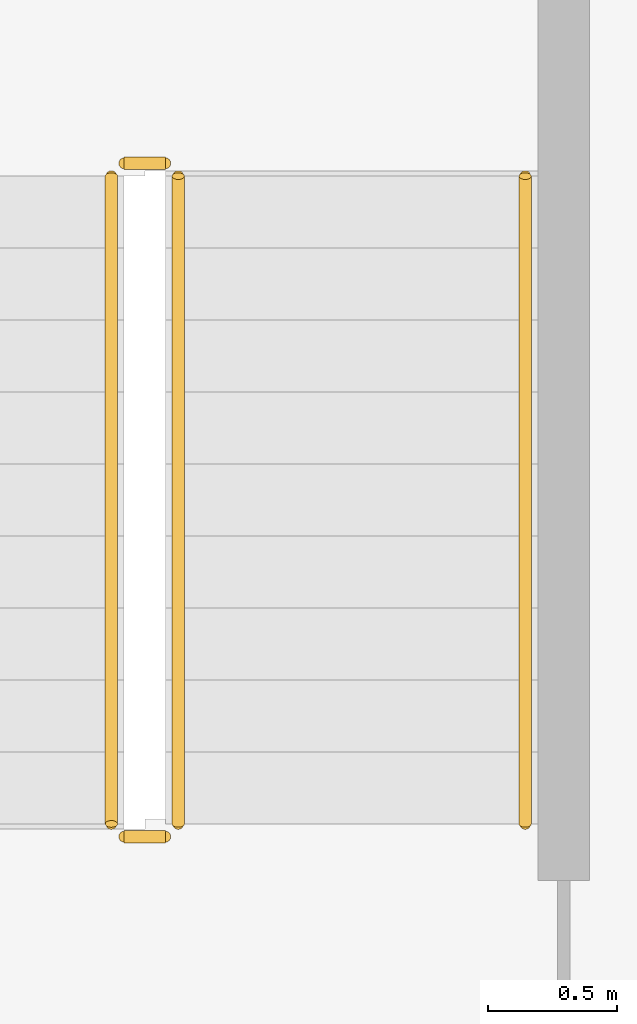
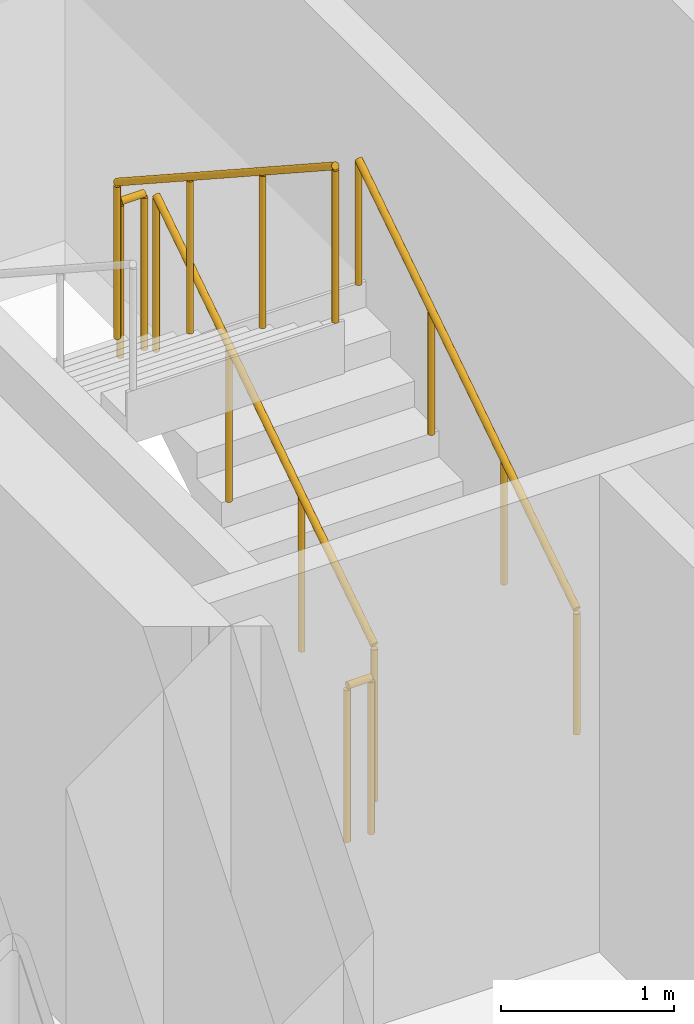
# One storey, part 10 of 12: 5 railings.
"""IFC4 building model written with IfcOpenShell, lengths in metres."""

from ifc_helpers import new_model, si_unit, direction, frame, origin, origin_2d, place, context, subcontext, project, spatial, circle, extrude, material, type_object, element, save


model = new_model("IFC4")

# Units and contexts
model_context = context("Model", 3, precision=1e-05, world=origin(), true_north=direction((0.0, 1.0)))
body_context = subcontext(model_context, "Body", "Model", "MODEL_VIEW")
ifc_project = project(units=[si_unit("LENGTHUNIT", "METRE"), si_unit("AREAUNIT", "SQUARE_METRE"), si_unit("VOLUMEUNIT", "CUBIC_METRE"), si_unit("PLANEANGLEUNIT", "RADIAN"), si_unit("MASSUNIT", "GRAM", prefix="KILO")], contexts=[model_context])

# Site, building, storey
site_placement = place(None, origin())
site = spatial("IfcSite", under=ifc_project, at=site_placement, CompositionType="ELEMENT")
building_placement = place(site_placement, origin())
building = spatial("IfcBuilding", under=site, at=building_placement, Name="Nuvemarco Arch Tower", CompositionType="ELEMENT")
storey_placement = place(building_placement, frame((0.0, 0.0, 38.550048828125)))
storey = spatial("IfcBuildingStorey", under=building, at=storey_placement, Name="L09", CompositionType="ELEMENT", Elevation=38.550048828125)

# Railings
ifc_material_1 = material(Name="Brushed stainless steel handrail", Category="steel")
railing_type_1 = type_object("IfcRailingType", Name="RL-HANDRAIL-900", PredefinedType="HANDRAIL", material=ifc_material_1)
railing_1_placement = place(storey_placement, frame((-13.590087890625, 2.64990234375, 0.182373046875)))
element("IfcRailing", 1, at=railing_1_placement, inside=storey, type_object=railing_type_1, Name="L09 ST-1 stair handrail 1", PredefinedType="HANDRAIL", context=body_context, shape_type="SweptSolid", body=[
    extrude(circle(Radius=0.02392578125, at=origin_2d()), frame((0.0, 0.0, 0.8759765625), z_axis=(0.0, 0.837749427056, 0.546054848405), x_axis=(-1.0, 0.0, 0.0)), (0.0, 0.0, 1.0), 3.008056640625),
    extrude(circle(Radius=0.02099609375, at=origin_2d()), origin(), (0.0, 0.0, 1.0), 0.851806640625),
    extrude(circle(Radius=0.02099609375, at=origin_2d()), frame((0.0, 0.840087890625, 0.547607421875)), (0.0, 0.0, 1.0), 0.851806640625),
    extrude(circle(Radius=0.02099609375, at=origin_2d()), frame((0.0, 1.679931640625, 1.094970703125)), (0.0, 0.0, 1.0), 0.851806640625),
    extrude(circle(Radius=0.02099609375, at=origin_2d()), frame((0.0, 2.52001953125, 1.642578125)), (0.0, 0.0, 1.0), 0.851806640625),
])
ifc_material_2 = material(Name="Painted balustrade steel S355", Category="steel")
railing_type_2 = type_object("IfcRailingType", Name="RL-STAIR-GUARD", PredefinedType="GUARDRAIL", material=ifc_material_2)
railing_2_placement = place(storey_placement, frame((-14.93994140625, 2.64990234375, 0.182373046875)))
element("IfcRailing", 2, at=railing_2_placement, inside=storey, type_object=railing_type_2, Name="L09 ST-1 stair guard 1", PredefinedType="GUARDRAIL", context=body_context, shape_type="SweptSolid", body=[
    extrude(circle(Radius=0.02392578125, at=origin_2d()), frame((0.0, 0.0, 1.09619140625), z_axis=(0.0, 0.837749427056, 0.546054848405), x_axis=(-1.0, 0.0, 0.0)), (0.0, 0.0, 1.0), 3.008056640625),
    extrude(circle(Radius=0.02099609375, at=origin_2d()), origin(), (0.0, 0.0, 1.0), 1.072021484375),
    extrude(circle(Radius=0.02099609375, at=origin_2d()), frame((0.0, 0.840087890625, 0.547607421875)), (0.0, 0.0, 1.0), 1.072021484375),
    extrude(circle(Radius=0.02099609375, at=origin_2d()), frame((0.0, 1.679931640625, 1.094970703125)), (0.0, 0.0, 1.0), 1.072021484375),
    extrude(circle(Radius=0.02099609375, at=origin_2d()), frame((0.0, 2.52001953125, 1.642578125)), (0.0, 0.0, 1.0), 1.072021484375),
])
railing_3_placement = place(storey_placement, frame((-14.989990234375, 5.219970703125, 1.824951171875)))
element("IfcRailing", 3, at=railing_3_placement, inside=storey, type_object=railing_type_2, Name="L09 ST-1 stair guard 2", PredefinedType="GUARDRAIL", context=body_context, shape_type="SweptSolid", body=[
    extrude(circle(Radius=0.02392578125, at=origin_2d()), frame((0.0, 0.0, 1.09619140625), z_axis=(-1.0, 0.0, 0.0), x_axis=(0.0, -1.0, 0.0)), (0.0, 0.0, 1.0), 0.159912109375),
    extrude(circle(Radius=0.02099609375, at=origin_2d()), origin(), (0.0, 0.0, 1.0), 1.072021484375),
    extrude(circle(Radius=0.02099609375, at=origin_2d()), frame((-0.159912109375, 0.0, 0.0)), (0.0, 0.0, 1.0), 1.072021484375),
])
railing_4_placement = place(storey_placement, frame((-15.199951171875, 5.169921875, 2.007568359375)))
element("IfcRailing", 4, at=railing_4_placement, inside=storey, type_object=railing_type_2, Name="L09 ST-1 stair guard 3", PredefinedType="GUARDRAIL", context=body_context, shape_type="SweptSolid", body=[
    extrude(circle(Radius=0.02392578125, at=origin_2d()), frame((0.0, 0.0, 1.09619140625), z_axis=(0.0, -0.837786554691, 0.545997883492), x_axis=(1.0, 0.0, 0.0)), (0.0, 0.0, 1.0), 3.008056640625),
    extrude(circle(Radius=0.02099609375, at=origin_2d()), origin(), (0.0, 0.0, 1.0), 1.072021484375),
    extrude(circle(Radius=0.02099609375, at=origin_2d()), frame((0.0, -0.840087890625, 0.54736328125)), (0.0, 0.0, 1.0), 1.072021484375),
    extrude(circle(Radius=0.02099609375, at=origin_2d()), frame((0.0, -1.679931640625, 1.094970703125)), (0.0, 0.0, 1.0), 1.072021484375),
    extrude(circle(Radius=0.02099609375, at=origin_2d()), frame((0.0, -2.52001953125, 1.642333984375)), (0.0, 0.0, 1.0), 1.072021484375),
])
railing_5_placement = place(storey_placement, frame((-14.989990234375, 2.60009765625, 0.0)))
element("IfcRailing", 5, at=railing_5_placement, inside=storey, type_object=railing_type_2, Name="L09 ST-1 stair guard 4", PredefinedType="GUARDRAIL", context=body_context, shape_type="SweptSolid", body=[
    extrude(circle(Radius=0.02392578125, at=origin_2d()), frame((0.0, 0.0, 1.09619140625), z_axis=(-1.0, 0.0, 0.0), x_axis=(0.0, -1.0, 0.0)), (0.0, 0.0, 1.0), 0.159912109375),
    extrude(circle(Radius=0.02099609375, at=origin_2d()), origin(), (0.0, 0.0, 1.0), 1.072021484375),
    extrude(circle(Radius=0.02099609375, at=origin_2d()), frame((-0.159912109375, 0.0, 0.0)), (0.0, 0.0, 1.0), 1.072021484375),
])

save(model, "model.ifc")
